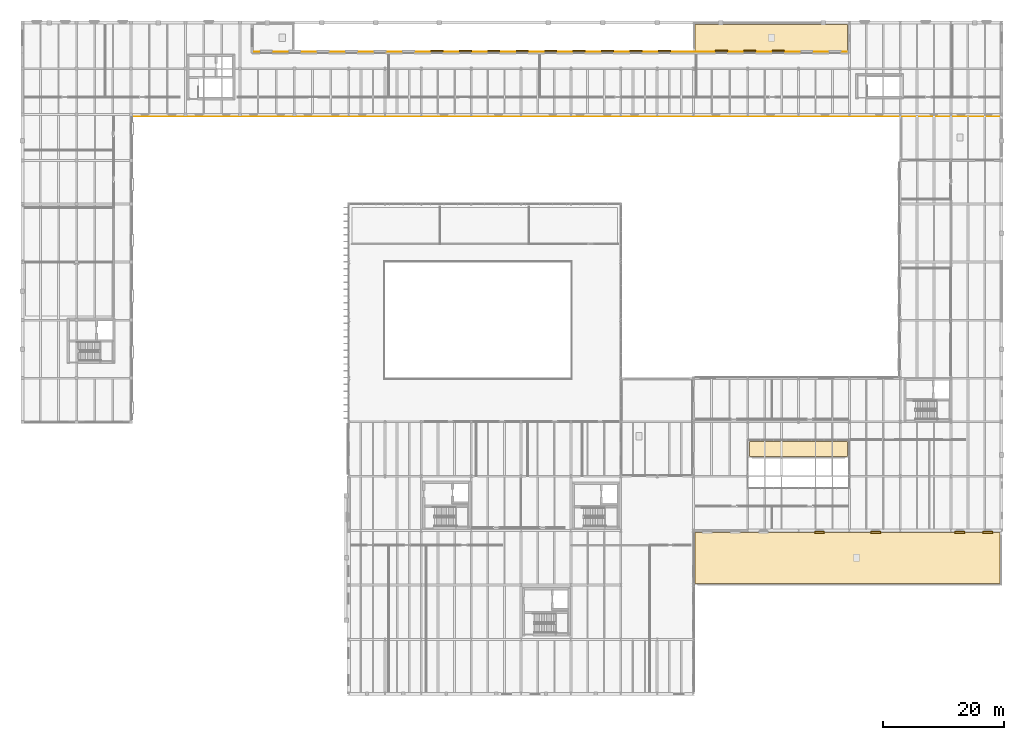
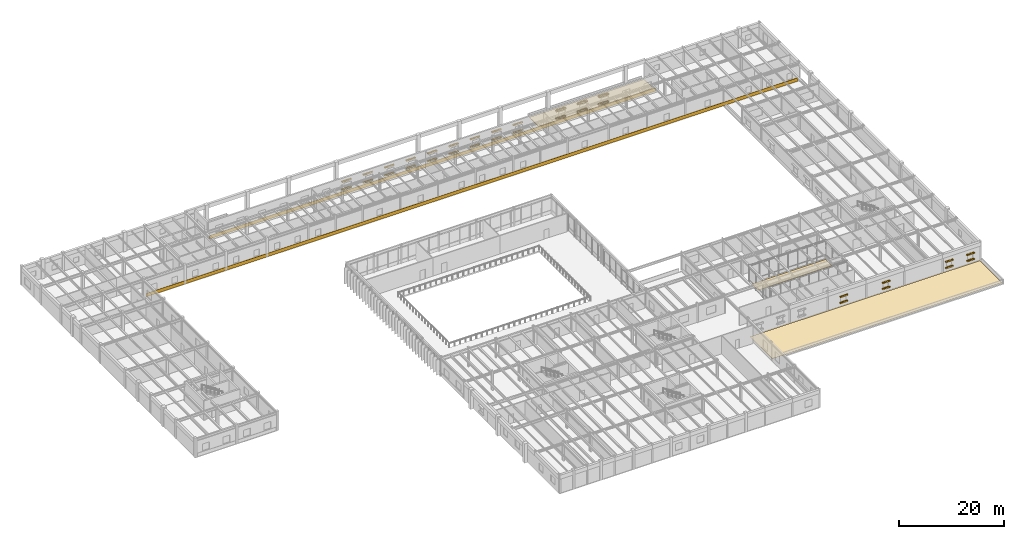
# One storey, part 62 of 64: 37 coverings.
"""IFC4 building model written with IfcOpenShell, lengths in metres."""

from ifc_helpers import new_model, si_unit, direction, frame, origin, origin_2d, place, context, subcontext, project, spatial, polyline, rectangle, outline, extrude, material, layer, layer_set, type_object, element, save


model = new_model("IFC4")

# Units and contexts
model_context = context("Model", 3, precision=1e-05, world=origin(), true_north=direction((0.0, 1.0)))
body_context = subcontext(model_context, "Body", "Model", "MODEL_VIEW")
ifc_project = project(units=[si_unit("LENGTHUNIT", "METRE"), si_unit("AREAUNIT", "SQUARE_METRE"), si_unit("VOLUMEUNIT", "CUBIC_METRE"), si_unit("PLANEANGLEUNIT", "RADIAN"), si_unit("MASSUNIT", "GRAM", prefix="KILO")], contexts=[model_context])

# Site, building, storey
site_placement = place(None, origin())
site = spatial("IfcSite", under=ifc_project, at=site_placement, CompositionType="ELEMENT")
building_placement = place(site_placement, origin())
building = spatial("IfcBuilding", under=site, at=building_placement, Name="Montealbar Specialist Clinic", CompositionType="ELEMENT")
storey_placement = place(building_placement, frame((0.0, 0.0, 5.10009765625)))
storey = spatial("IfcBuildingStorey", under=building, at=storey_placement, Name="L01", CompositionType="ELEMENT", Elevation=5.10009765625)

# Coverings
ifc_material_1 = material(Name="Guadarrama granite ashlar", Category="masonry")
ifc_layer_1 = layer(ifc_material_1, 0.06005859375, Name="Guadarrama granite ashlar", Category="masonry")
ifc_layer_set_1 = layer_set([ifc_layer_1], Name="Guadarrama granite ashlar")
covering_type_1 = type_object("IfcCoveringType", Name="COV-CLAD-GRANITE", PredefinedType="CLADDING", material=ifc_layer_set_1)
covering_1_placement = place(storey_placement, frame((87.39990234375, 106.202880859375, 0.02978515625), z_axis=(0.0, 0.0, 1.0), x_axis=(1.0, 0.0, 0.0)))
element("IfcCovering", 1, at=covering_1_placement, inside=storey, type_object=covering_type_1, Name="Facade Plinth Cladding Band L01-022", PredefinedType="CLADDING", context=body_context, shape_type="SweptSolid", body=[
    extrude(rectangle(XDim=98.0, YDim=0.06005859375, at=origin_2d()), origin(), (0.0, 0.0, 1.0), 0.780029296875),
])
covering_2_placement = place(storey_placement, frame((90.0, 95.596923828125, 0.02978515625), z_axis=(0.0, 0.0, 1.0), x_axis=(-1.0, 0.0, 0.0)))
element("IfcCovering", 2, at=covering_2_placement, inside=storey, type_object=covering_type_1, Name="Facade Plinth Cladding Band L01-023", PredefinedType="CLADDING", context=body_context, shape_type="SweptSolid", body=[
    extrude(rectangle(XDim=143.199951171875, YDim=0.06005859375, at=origin_2d()), origin(), (0.0, 0.0, 1.0), 0.780029296875),
])
ifc_layer_2 = layer(ifc_material_1, 0.280029296875, Name="Guadarrama granite ashlar", Category="masonry")
ifc_layer_set_2 = layer_set([ifc_layer_2], Name="Guadarrama granite ashlar")
covering_type_2 = type_object("IfcCoveringType", Name="COV-HOOD-OCULUS", PredefinedType="CLADDING", material=ifc_layer_set_2)
for number, where, z_axis, x_axis, name in (
    (3, (68.5810546875, 106.31005859375, 2.9150390625), (0.0, 0.0, 1.0), (1.0, 0.0, 0.0), "Postmodern Oculus Stone Frame L01-012-TOP"),
    (4, (68.5810546875, 106.31005859375, 1.0947265625), (0.0, 0.0, 1.0), (1.0, 0.0, 0.0), "Postmodern Oculus Stone Frame L01-012-BOT"),
    (5, (73.285888671875, 106.31005859375, 2.9150390625), (0.0, 0.0, 1.0), (1.0, 0.0, 0.0), "Postmodern Oculus Stone Frame L01-013-TOP"),
    (6, (73.285888671875, 106.31005859375, 1.0947265625), (0.0, 0.0, 1.0), (1.0, 0.0, 0.0), "Postmodern Oculus Stone Frame L01-013-BOT"),
    (7, (77.989990234375, 106.31005859375, 2.9150390625), (0.0, 0.0, 1.0), (1.0, 0.0, 0.0), "Postmodern Oculus Stone Frame L01-014-TOP"),
    (8, (77.989990234375, 106.31005859375, 1.0947265625), (0.0, 0.0, 1.0), (1.0, 0.0, 0.0), "Postmodern Oculus Stone Frame L01-014-BOT"),
    (9, (82.695068359375, 106.31005859375, 2.9150390625), (0.0, 0.0, 1.0), (1.0, 0.0, 0.0), "Postmodern Oculus Stone Frame L01-015-TOP"),
    (10, (82.695068359375, 106.31005859375, 1.0947265625), (0.0, 0.0, 1.0), (1.0, 0.0, 0.0), "Postmodern Oculus Stone Frame L01-015-BOT"),
    (11, (87.39990234375, 106.31005859375, 2.9150390625), (0.0, 0.0, 1.0), (1.0, 0.0, 0.0), "Postmodern Oculus Stone Frame L01-016-TOP"),
    (12, (87.39990234375, 106.31005859375, 1.0947265625), (0.0, 0.0, 1.0), (1.0, 0.0, 0.0), "Postmodern Oculus Stone Frame L01-016-BOT"),
    (13, (92.10498046875, 106.31005859375, 2.9150390625), (0.0, 0.0, 1.0), (1.0, 0.0, 0.0), "Postmodern Oculus Stone Frame L01-017-TOP"),
    (14, (92.10498046875, 106.31005859375, 1.0947265625), (0.0, 0.0, 1.0), (1.0, 0.0, 0.0), "Postmodern Oculus Stone Frame L01-017-BOT"),
    (15, (96.81005859375, 106.31005859375, 2.9150390625), (0.0, 0.0, 1.0), (1.0, 0.0, 0.0), "Postmodern Oculus Stone Frame L01-018-TOP"),
    (16, (96.81005859375, 106.31005859375, 1.0947265625), (0.0, 0.0, 1.0), (1.0, 0.0, 0.0), "Postmodern Oculus Stone Frame L01-018-BOT"),
    (17, (101.513916015625, 106.31005859375, 2.9150390625), (0.0, 0.0, 1.0), (1.0, 0.0, 0.0), "Postmodern Oculus Stone Frame L01-019-TOP"),
    (18, (101.513916015625, 106.31005859375, 1.0947265625), (0.0, 0.0, 1.0), (1.0, 0.0, 0.0), "Postmodern Oculus Stone Frame L01-019-BOT"),
    (19, (106.218994140625, 106.31005859375, 2.9150390625), (0.0, 0.0, 1.0), (1.0, 0.0, 0.0), "Postmodern Oculus Stone Frame L01-020-TOP"),
    (20, (106.218994140625, 106.31005859375, 1.0947265625), (0.0, 0.0, 1.0), (1.0, 0.0, 0.0), "Postmodern Oculus Stone Frame L01-020-BOT"),
    (21, (115.62890625, 106.31005859375, 2.9150390625), (0.0, 0.0, 1.0), (1.0, 0.0, 0.0), "Postmodern Oculus Stone Frame L01-021-TOP"),
    (22, (115.62890625, 106.31005859375, 1.0947265625), (0.0, 0.0, 1.0), (1.0, 0.0, 0.0), "Postmodern Oculus Stone Frame L01-021-BOT"),
    (23, (120.3330078125, 106.31005859375, 2.9150390625), (0.0, 0.0, 1.0), (1.0, 0.0, 0.0), "Postmodern Oculus Stone Frame L01-022-TOP"),
    (24, (120.3330078125, 106.31005859375, 1.0947265625), (0.0, 0.0, 1.0), (1.0, 0.0, 0.0), "Postmodern Oculus Stone Frame L01-022-BOT"),
    (25, (125.0380859375, 106.31005859375, 2.9150390625), (0.0, 0.0, 1.0), (1.0, 0.0, 0.0), "Postmodern Oculus Stone Frame L01-023-TOP"),
    (26, (125.0380859375, 106.31005859375, 1.0947265625), (0.0, 0.0, 1.0), (1.0, 0.0, 0.0), "Postmodern Oculus Stone Frame L01-023-BOT"),
):
    element("IfcCovering", number, at=place(storey_placement, frame(where, z_axis=z_axis, x_axis=x_axis)), inside=storey, type_object=covering_type_2, Name=name, PredefinedType="CLADDING", context=body_context, shape_type="SweptSolid", body=[
        extrude(rectangle(XDim=2.0400390625, YDim=0.280029296875, at=origin_2d()), origin(), (0.0, 0.0, 1.0), 0.199951171875),
    ])
for number, where, z_axis, x_axis, name in (
    (27, (159.681884765625, 26.735107421875, 2.23974609375), (0.0, 0.0, 1.0), (-1.0, 0.0, 0.0), "Postmodern Oculus Stone Frame L01-042-TOP"),
    (28, (159.681884765625, 26.735107421875, 0.81982421875), (0.0, 0.0, 1.0), (-1.0, 0.0, 0.0), "Postmodern Oculus Stone Frame L01-042-BOT"),
    (29, (155.044921875, 26.735107421875, 2.23974609375), (0.0, 0.0, 1.0), (-1.0, 0.0, 0.0), "Postmodern Oculus Stone Frame L01-043-TOP"),
    (30, (155.044921875, 26.735107421875, 0.81982421875), (0.0, 0.0, 1.0), (-1.0, 0.0, 0.0), "Postmodern Oculus Stone Frame L01-043-BOT"),
    (31, (141.135986328125, 26.735107421875, 2.23974609375), (0.0, 0.0, 1.0), (-1.0, 0.0, 0.0), "Postmodern Oculus Stone Frame L01-044-TOP"),
    (32, (141.135986328125, 26.735107421875, 0.81982421875), (0.0, 0.0, 1.0), (-1.0, 0.0, 0.0), "Postmodern Oculus Stone Frame L01-044-BOT"),
    (33, (131.864013671875, 26.735107421875, 2.23974609375), (0.0, 0.0, 1.0), (-1.0, 0.0, 0.0), "Postmodern Oculus Stone Frame L01-045-TOP"),
    (34, (131.864013671875, 26.735107421875, 0.81982421875), (0.0, 0.0, 1.0), (-1.0, 0.0, 0.0), "Postmodern Oculus Stone Frame L01-045-BOT"),
):
    element("IfcCovering", number, at=place(storey_placement, frame(where, z_axis=z_axis, x_axis=x_axis)), inside=storey, type_object=covering_type_2, Name=name, PredefinedType="CLADDING", context=body_context, shape_type="SweptSolid", body=[
        extrude(rectangle(XDim=1.639892578125, YDim=0.280029296875, at=origin_2d()), origin(), (0.0, 0.0, 1.0), 0.199951171875),
    ])
ifc_material_2 = material(Name="Weatherproof roofing membrane", Category="concrete")
ifc_layer_3 = layer(ifc_material_2, 0.030029296875, Name="Weatherproof roofing membrane", Category="concrete")
ifc_layer_set_3 = layer_set([ifc_layer_3], Name="Weatherproof roofing membrane")
covering_type_3 = type_object("IfcCoveringType", Name="COV-ROOF-MEMB", PredefinedType="ROOFING", material=ifc_layer_set_3)
covering_3_placement = place(storey_placement, origin())
element("IfcCovering", 35, at=covering_3_placement, inside=storey, type_object=covering_type_3, Name="Weatherproof Roof Membrane ROOF-L01-01", PredefinedType="ROOFING", context=body_context, shape_type="SweptSolid", body=[
    extrude(outline(polyline([(111.280029296875, 18.280029296875), (111.280029296875, 26.719970703125), (161.719970703125, 26.719970703125), (161.719970703125, 18.280029296875), (111.280029296875, 18.280029296875)])), origin(), (0.0, 0.0, 1.0), 0.02978515625),
])
covering_4_placement = place(storey_placement, origin())
element("IfcCovering", 36, at=covering_4_placement, inside=storey, type_object=covering_type_3, Name="Weatherproof Roof Membrane ROOF-L01-03", PredefinedType="ROOFING", context=body_context, shape_type="SweptSolid", body=[
    extrude(outline(polyline([(120.280029296875, 41.719970703125), (136.52001953125, 41.719970703125), (136.52001953125, 39.280029296875), (120.280029296875, 39.280029296875), (120.280029296875, 41.719970703125)])), origin(), (0.0, 0.0, 1.0), 0.02978515625),
])
covering_5_placement = place(storey_placement, origin())
element("IfcCovering", 37, at=covering_5_placement, inside=storey, type_object=covering_type_3, Name="Weatherproof Roof Membrane ROOF-L01-04", PredefinedType="ROOFING", context=body_context, shape_type="SweptSolid", body=[
    extrude(outline(polyline([(136.52001953125, 110.719970703125), (136.52001953125, 106.280029296875), (111.280029296875, 106.280029296875), (111.280029296875, 110.719970703125), (136.52001953125, 110.719970703125)])), origin(), (0.0, 0.0, 1.0), 0.02978515625),
])

save(model, "model.ifc")
